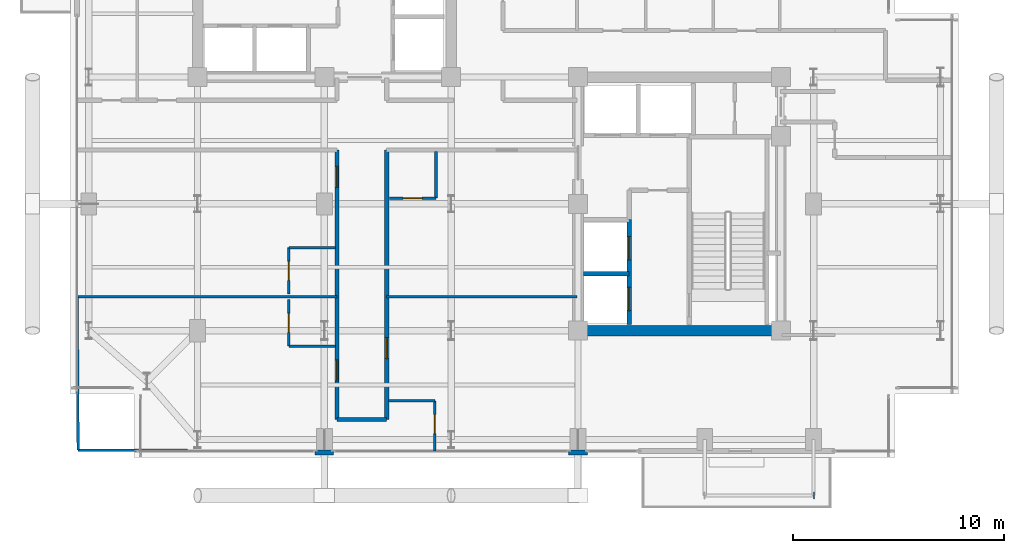
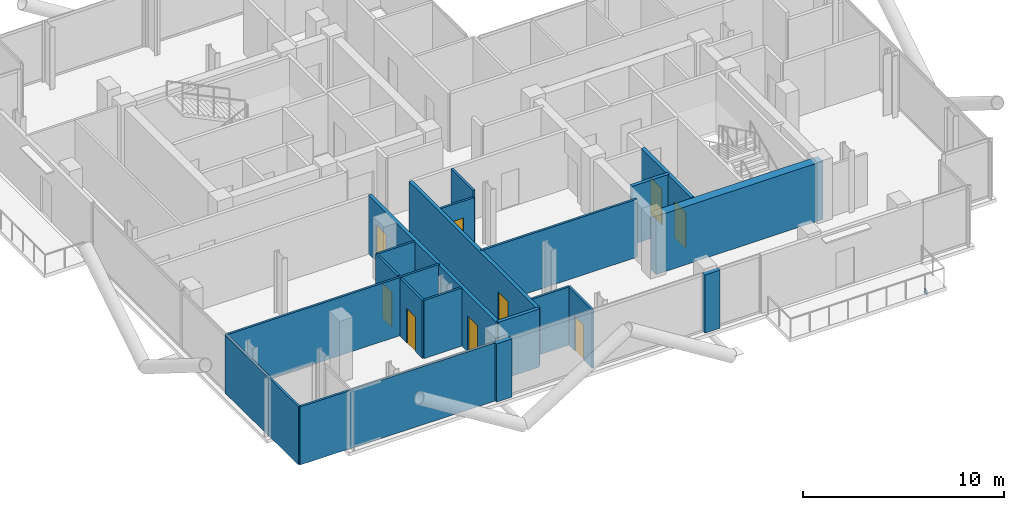
# One storey, part 19 of 25: 20 walls, 9 doors, 1 plate, 9 openings.
"""IFC4 building model written with IfcOpenShell, lengths in metres."""

from ifc_helpers import new_model, si_unit, direction, frame, frame_2d, origin, origin_2d, place, context, subcontext, project, spatial, rectangle, extrude, material, layer, layer_set, type_object, element, fill, save


model = new_model("IFC4")

# Units and contexts
model_context = context("Model", 3, precision=1e-05, world=origin(), true_north=direction((0.0, 1.0)))
body_context = subcontext(model_context, "Body", "Model", "MODEL_VIEW")
ifc_project = project(units=[si_unit("LENGTHUNIT", "METRE"), si_unit("AREAUNIT", "SQUARE_METRE"), si_unit("VOLUMEUNIT", "CUBIC_METRE"), si_unit("PLANEANGLEUNIT", "RADIAN"), si_unit("MASSUNIT", "GRAM", prefix="KILO"), si_unit("THERMODYNAMICTEMPERATUREUNIT", "KELVIN"), si_unit("POWERUNIT", "WATT")], contexts=[model_context])

# Site, building, storey
site_placement = place(None, origin())
site = spatial("IfcSite", under=ifc_project, at=site_placement, CompositionType="ELEMENT")
building_placement = place(site_placement, origin())
building = spatial("IfcBuilding", under=site, at=building_placement, Name="Svarakhadi Broadcast Tower", CompositionType="ELEMENT")
storey_placement = place(building_placement, frame((0.0, 0.0, 216.14990234375)))
storey = spatial("IfcBuildingStorey", under=building, at=storey_placement, Name="L53", CompositionType="ELEMENT", Elevation=216.14990234375)

# Plate
ifc_material_1 = material(Name="Steel S460ML (IS 2062 E450BR)", Category="steel")
ifc_layer_1 = layer(ifc_material_1, 0.028076171875)
ifc_layer_set_1 = layer_set([ifc_layer_1], Name="Steel S460ML (IS 2062 E450BR)")
plate_type = type_object("IfcPlateType", Name="Cap_Plate_CP02", PredefinedType="USERDEFINED", material=ifc_layer_set_1)
plate_placement = place(storey_placement, frame((35.1650390625, -1.800048828125, -0.5048828125), z_axis=(0.0, 0.0, 1.0), x_axis=(1.0, 0.0, 0.0)))
element("IfcPlate", 1, at=plate_placement, inside=storey, type_object=plate_type, Name="L53 Balcony Spandrel End Cap Plate 1F-B", ObjectType="FLANGE_PLATE", PredefinedType="USERDEFINED", context=body_context, shape_type="SweptSolid", body=[
    extrude(rectangle(XDim=0.0400390625, YDim=0.300048828125, at=origin_2d()), origin(), (0.0, 0.0, 1.0), 0.31005859375),
])

# Wall, opening, door
ifc_material_2 = material(Name="Double-Stud Acoustic Studio Partition STC-62", Category="gypsum")
ifc_layer_2 = layer(ifc_material_2, 0.199951171875)
ifc_layer_set_2 = layer_set([ifc_layer_2], Name="Double-Stud Acoustic Studio Partition STC-62")
wall_type_1 = type_object("IfcWallType", Name="Wall_Acoust_200", PredefinedType="PARTITIONING", material=ifc_layer_set_2)
wall_1_placement = place(storey_placement, frame((14.949951171875, 14.550048828125, 0.0), z_axis=(0.0, 0.0, 1.0), x_axis=(0.0, -1.0, 0.0)))
wall_1 = element("IfcWall", 2, at=wall_1_placement, inside=storey, type_object=wall_type_1, Name="L53 Upper Tower Concourse Wall", PredefinedType="PARTITIONING", context=body_context, shape_type="SweptSolid", body=[
    extrude(rectangle(XDim=12.75, YDim=0.199951171875, at=frame_2d((6.375, 0.0))), origin(), (0.0, 0.0, 1.0), 3.5400390625),
])
opening_1_placement = place(wall_1_placement, frame((8.875, 0.0, 0.0)))
opening_1 = element("IfcOpeningElement", 3, at=opening_1_placement, cuts=wall_1, Name="Opening D-08", PredefinedType="OPENING", context=body_context, shape_type="SweptSolid", body=[
    extrude(rectangle(XDim=1.0, YDim=2.199951171875, at=frame_2d((0.5, 1.10009765625))), frame((0.0, 0.10986328125, 0.0), z_axis=(0.0, -1.0, 0.0), x_axis=(1.0, 0.0, 0.0)), (0.0, 0.0, 1.0), 0.219970703125),
])
ifc_material_3 = material(Name="Solid-Core Teak Veneer Acoustic Timber Leaf", Category="wood")
door_type_1 = type_object("IfcDoorType", Name="Door_Suite_D08", OperationType="SINGLE_SWING_LEFT", PredefinedType="DOOR", material=ifc_material_3)
door_1_placement = place(opening_1_placement, origin())
door_1 = element("IfcDoor", 4, at=door_1_placement, inside=storey, type_object=door_type_1, Name="L53 South Harbour Junior Suite Entrance Door", OperationType="SINGLE_SWING_LEFT", OverallHeight=2.199951171875, OverallWidth=1.0, PredefinedType="DOOR", context=body_context, shape_type="SweptSolid", body=[
    extrude(rectangle(XDim=1.0, YDim=2.199951171875, at=frame_2d((0.5, 1.10009765625))), frame((0.0, 0.02490234375, 0.0), z_axis=(0.0, -1.0, 0.0), x_axis=(1.0, 0.0, 0.0)), (0.0, 0.0, 1.0), 0.050048828125),
])
fill(opening_1, door_1)

# Wall
wall_2_placement = place(storey_placement, frame((14.949951171875, 1.800048828125, 0.0), z_axis=(0.0, 0.0, 1.0), x_axis=(-1.0, 0.0, 0.0)))
element("IfcWall", 5, at=wall_2_placement, inside=storey, type_object=wall_type_1, Name="L53 Upper Tower Concourse Wall", PredefinedType="PARTITIONING", context=body_context, shape_type="SweptSolid", body=[
    extrude(rectangle(XDim=2.349853515625, YDim=0.199951171875, at=frame_2d((1.1748046875, 0.0))), origin(), (0.0, 0.0, 1.0), 3.5400390625),
])

# Wall, openings, doors
wall_3_placement = place(storey_placement, frame((12.60009765625, 1.800048828125, 0.0), z_axis=(0.0, 0.0, 1.0), x_axis=(0.0, 1.0, 0.0)))
wall_3 = element("IfcWall", 6, at=wall_3_placement, inside=storey, type_object=wall_type_1, Name="L53 Upper Tower Concourse Wall", PredefinedType="PARTITIONING", context=body_context, shape_type="SweptSolid", body=[
    extrude(rectangle(XDim=12.75, YDim=0.199951171875, at=frame_2d((6.375, 0.0))), origin(), (0.0, 0.0, 1.0), 3.5400390625),
])
opening_2_placement = place(wall_3_placement, frame((1.824951171875, 0.0, 0.0)))
opening_2 = element("IfcOpeningElement", 7, at=opening_2_placement, cuts=wall_3, Name="Opening D-08", PredefinedType="OPENING", context=body_context, shape_type="SweptSolid", body=[
    extrude(rectangle(XDim=1.0, YDim=2.199951171875, at=frame_2d((0.5, 1.10009765625))), frame((0.0, 0.10986328125, 0.0), z_axis=(0.0, -1.0, 0.0), x_axis=(1.0, 0.0, 0.0)), (0.0, 0.0, 1.0), 0.219970703125),
])
opening_3_placement = place(wall_3_placement, frame((10.97998046875, 0.0, 0.0)))
opening_3 = element("IfcOpeningElement", 8, at=opening_3_placement, cuts=wall_3, Name="Opening D-09", PredefinedType="OPENING", context=body_context, shape_type="SweptSolid", body=[
    extrude(rectangle(XDim=1.0, YDim=2.199951171875, at=frame_2d((0.5, 1.10009765625))), frame((0.0, 0.10986328125, 0.0), z_axis=(0.0, -1.0, 0.0), x_axis=(1.0, 0.0, 0.0)), (0.0, 0.0, 1.0), 0.219970703125),
])
door_2_placement = place(opening_2_placement, origin())
door_2 = element("IfcDoor", 9, at=door_2_placement, inside=storey, type_object=door_type_1, Name="L53 Presidential Sea-View Corner Suite Entrance Door", OperationType="SINGLE_SWING_LEFT", OverallHeight=2.199951171875, OverallWidth=1.0, PredefinedType="DOOR", context=body_context, shape_type="SweptSolid", body=[
    extrude(rectangle(XDim=1.0, YDim=2.199951171875, at=frame_2d((0.5, 1.10009765625))), frame((0.0, 0.02490234375, 0.0), z_axis=(0.0, -1.0, 0.0), x_axis=(1.0, 0.0, 0.0)), (0.0, 0.0, 1.0), 0.050048828125),
])
fill(opening_2, door_2)
door_type_2 = type_object("IfcDoorType", Name="Door_Suite_D09", OperationType="SINGLE_SWING_RIGHT", PredefinedType="DOOR", material=ifc_material_3)
door_3_placement = place(opening_3_placement, origin())
door_3 = element("IfcDoor", 10, at=door_3_placement, inside=storey, type_object=door_type_2, Name="L53 Arabian Sea Executive Guest Suite Entrance Door", OperationType="SINGLE_SWING_RIGHT", OverallHeight=2.199951171875, OverallWidth=1.0, PredefinedType="DOOR", context=body_context, shape_type="SweptSolid", body=[
    extrude(rectangle(XDim=1.0, YDim=2.199951171875, at=frame_2d((0.5, 1.10009765625))), frame((0.0, 0.02490234375, 0.0), z_axis=(0.0, -1.0, 0.0), x_axis=(1.0, 0.0, 0.0)), (0.0, 0.0, 1.0), 0.050048828125),
])
fill(opening_3, door_3)

# Walls
ifc_material_4 = material(Name="Concrete C40/50 (IS 456 M50)", Category="concrete")
ifc_layer_3 = layer(ifc_material_4, 0.239990234375)
ifc_layer_set_3 = layer_set([ifc_layer_3], Name="Concrete C40/50 (IS 456 M50)")
wall_type_2 = type_object("IfcWallType", Name="Wall_Ext_240", PredefinedType="SOLIDWALL", material=ifc_layer_set_3)
for number, where, z_axis, x_axis, name in (
    (11, (24.43994140625, 0.239990234375, 0.0), (0.0, 0.0, 1.0), (-1.0, 0.0, 0.0), "L53 Perimeter Bronze Spandrel Closure Wall 03"),
    (12, (12.43994140625, 0.239990234375, 0.0), (0.0, 0.0, 1.0), (-1.0, 0.0, 0.0), "L53 Perimeter Bronze Spandrel Closure Wall 04"),
):
    element("IfcWall", number, at=place(storey_placement, frame(where, z_axis=z_axis, x_axis=x_axis)), inside=storey, type_object=wall_type_2, Name=name, PredefinedType="SOLIDWALL", context=body_context, shape_type="SweptSolid", body=[
        extrude(rectangle(XDim=0.8798828125, YDim=0.239990234375, at=frame_2d((0.43994140625, 0.0))), origin(), (0.0, 0.0, 1.0), 3.5400390625),
    ])
ifc_material_5 = material(Name="Fire-Rated Moisture-Resistant Gypsum Board Partition", Category="gypsum")
ifc_layer_4 = layer(ifc_material_5, 0.125)
ifc_layer_set_4 = layer_set([ifc_layer_4], Name="Fire-Rated Moisture-Resistant Gypsum Board Partition")
wall_type_3 = type_object("IfcWallType", Name="Wall_Part_125", PredefinedType="PARTITIONING", material=ifc_layer_set_4)
wall_4_placement = place(storey_placement, frame((0.35009765625, 0.35009765625, 0.0), z_axis=(0.0, 0.0, 1.0), x_axis=(0.999991617913, -0.004094398993, 0.0)))
element("IfcWall", 13, at=wall_4_placement, inside=storey, type_object=wall_type_3, Name="L53 Presidential Sea-View Corner Suite Wall", PredefinedType="PARTITIONING", context=body_context, shape_type="SweptSolid", body=[
    extrude(rectangle(XDim=11.2099609375, YDim=0.125, at=frame_2d((5.60498046875, 0.0))), origin(), (0.0, 0.0, 1.0), 3.5400390625),
])
wall_5_placement = place(storey_placement, frame((0.300048828125, 7.60009765625, 0.0), z_axis=(0.0, 0.0, 1.0), x_axis=(1.0, 0.0, 0.0)))
element("IfcWall", 14, at=wall_5_placement, inside=storey, type_object=wall_type_3, Name="L53 Presidential Sea-View Corner Suite Wall", PredefinedType="PARTITIONING", context=body_context, shape_type="SweptSolid", body=[
    extrude(rectangle(XDim=12.300048828125, YDim=0.125, at=frame_2d((6.14990234375, 0.0))), origin(), (0.0, 0.0, 1.0), 3.5400390625),
])
wall_6_placement = place(storey_placement, frame((0.35009765625, 0.35009765625, 0.0), z_axis=(0.0, 0.0, 1.0), x_axis=(-0.006903122154, 0.999976173168, 0.0)))
element("IfcWall", 15, at=wall_6_placement, inside=storey, type_object=wall_type_3, Name="L53 Presidential Sea-View Corner Suite Wall", PredefinedType="PARTITIONING", context=body_context, shape_type="SweptSolid", body=[
    extrude(rectangle(XDim=7.250244140625, YDim=0.125, at=frame_2d((3.625, 0.0))), origin(), (0.0, 0.0, 1.0), 3.5400390625),
])
wall_7_placement = place(storey_placement, frame((10.320068359375, 5.27001953125, 0.0), z_axis=(0.0, 0.0, 1.0), x_axis=(1.0, 0.0, 0.0)))
element("IfcWall", 16, at=wall_7_placement, inside=storey, type_object=wall_type_3, Name="L53 Presidential Sea-View Corner Suite En-Suite Wall", PredefinedType="PARTITIONING", context=body_context, shape_type="SweptSolid", body=[
    extrude(rectangle(XDim=2.199951171875, YDim=0.125, at=frame_2d((1.10009765625, 0.0))), origin(), (0.0, 0.0, 1.0), 3.5400390625),
])

# Wall, opening, door
wall_8_placement = place(storey_placement, frame((10.320068359375, 5.27001953125, 0.0), z_axis=(0.0, 0.0, 1.0), x_axis=(0.0, 1.0, 0.0)))
wall_8 = element("IfcWall", 17, at=wall_8_placement, inside=storey, type_object=wall_type_3, Name="L53 Presidential Sea-View Corner Suite En-Suite Wall", PredefinedType="PARTITIONING", context=body_context, shape_type="SweptSolid", body=[
    extrude(rectangle(XDim=2.199951171875, YDim=0.125, at=frame_2d((1.10009765625, 0.0))), origin(), (0.0, 0.0, 1.0), 3.5400390625),
])
opening_4_placement = place(wall_8_placement, frame((0.64990234375, 0.0, 0.0)))
opening_4 = element("IfcOpeningElement", 18, at=opening_4_placement, cuts=wall_8, Name="Opening D-13", PredefinedType="OPENING", context=body_context, shape_type="SweptSolid", body=[
    extrude(rectangle(XDim=0.89990234375, YDim=2.10009765625, at=frame_2d((0.449951171875, 1.050048828125))), frame((0.0, 0.072509765625, 0.0), z_axis=(0.0, -1.0, 0.0), x_axis=(1.0, 0.0, 0.0)), (0.0, 0.0, 1.0), 0.14501953125),
])
door_type_3 = type_object("IfcDoorType", Name="Door_Closet_D13", OperationType="SINGLE_SWING_RIGHT", PredefinedType="DOOR", material=ifc_material_3)
door_4_placement = place(opening_4_placement, origin())
door_4 = element("IfcDoor", 19, at=door_4_placement, inside=storey, type_object=door_type_3, Name="L53 Presidential Sea-View Corner Suite En-Suite Door", OperationType="SINGLE_SWING_RIGHT", OverallHeight=2.10009765625, OverallWidth=0.89990234375, PredefinedType="DOOR", context=body_context, shape_type="SweptSolid", body=[
    extrude(rectangle(XDim=0.89990234375, YDim=2.10009765625, at=frame_2d((0.449951171875, 1.050048828125))), frame((0.0, 0.02490234375, 0.0), z_axis=(0.0, -1.0, 0.0), x_axis=(1.0, 0.0, 0.0)), (0.0, 0.0, 1.0), 0.050048828125),
])
fill(opening_4, door_4)

# Wall
wall_9_placement = place(storey_placement, frame((10.320068359375, 9.929931640625, 0.0), z_axis=(0.0, 0.0, 1.0), x_axis=(1.0, 0.0, 0.0)))
element("IfcWall", 20, at=wall_9_placement, inside=storey, type_object=wall_type_3, Name="L53 Arabian Sea Executive Guest Suite En-Suite Wall", PredefinedType="PARTITIONING", context=body_context, shape_type="SweptSolid", body=[
    extrude(rectangle(XDim=2.199951171875, YDim=0.125, at=frame_2d((1.10009765625, 0.0))), origin(), (0.0, 0.0, 1.0), 3.5400390625),
])

# Wall, opening, door
wall_10_placement = place(storey_placement, frame((10.320068359375, 7.72998046875, 0.0), z_axis=(0.0, 0.0, 1.0), x_axis=(0.0, 1.0, 0.0)))
wall_10 = element("IfcWall", 21, at=wall_10_placement, inside=storey, type_object=wall_type_3, Name="L53 Arabian Sea Executive Guest Suite En-Suite Wall", PredefinedType="PARTITIONING", context=body_context, shape_type="SweptSolid", body=[
    extrude(rectangle(XDim=2.199951171875, YDim=0.125, at=frame_2d((1.10009765625, 0.0))), origin(), (0.0, 0.0, 1.0), 3.5400390625),
])
opening_5_placement = place(wall_10_placement, frame((0.64990234375, 0.0, 0.0)))
opening_5 = element("IfcOpeningElement", 22, at=opening_5_placement, cuts=wall_10, Name="Opening D-12", PredefinedType="OPENING", context=body_context, shape_type="SweptSolid", body=[
    extrude(rectangle(XDim=0.89990234375, YDim=2.10009765625, at=frame_2d((0.449951171875, 1.050048828125))), frame((0.0, 0.072509765625, 0.0), z_axis=(0.0, -1.0, 0.0), x_axis=(1.0, 0.0, 0.0)), (0.0, 0.0, 1.0), 0.14501953125),
])
door_type_4 = type_object("IfcDoorType", Name="Door_WC_D01", OperationType="SINGLE_SWING_LEFT", PredefinedType="DOOR", material=ifc_material_3)
door_5_placement = place(opening_5_placement, origin())
door_5 = element("IfcDoor", 23, at=door_5_placement, inside=storey, type_object=door_type_4, Name="L53 Arabian Sea Executive Guest Suite En-Suite Door", OperationType="SINGLE_SWING_LEFT", OverallHeight=2.10009765625, OverallWidth=0.89990234375, PredefinedType="DOOR", context=body_context, shape_type="SweptSolid", body=[
    extrude(rectangle(XDim=0.89990234375, YDim=2.10009765625, at=frame_2d((0.449951171875, 1.050048828125))), frame((0.0, 0.02490234375, 0.0), z_axis=(0.0, -1.0, 0.0), x_axis=(1.0, 0.0, 0.0)), (0.0, 0.0, 1.0), 0.050048828125),
])
fill(opening_5, door_5)

# Walls
wall_11_placement = place(storey_placement, frame((14.949951171875, 7.60009765625, 0.0), z_axis=(0.0, 0.0, 1.0), x_axis=(1.0, 0.0, 0.0)))
element("IfcWall", 24, at=wall_11_placement, inside=storey, type_object=wall_type_3, Name="L53 South Harbour Junior Suite Wall", PredefinedType="PARTITIONING", context=body_context, shape_type="SweptSolid", body=[
    extrude(rectangle(XDim=9.0, YDim=0.125, at=frame_2d((4.5, 0.0))), origin(), (0.0, 0.0, 1.0), 3.5400390625),
])
wall_12_placement = place(storey_placement, frame((15.030029296875, 2.679931640625, 0.0), z_axis=(0.0, 0.0, 1.0), x_axis=(1.0, 0.0, 0.0)))
element("IfcWall", 25, at=wall_12_placement, inside=storey, type_object=wall_type_3, Name="L53 South Harbour Junior Suite En-Suite Wall", PredefinedType="PARTITIONING", context=body_context, shape_type="SweptSolid", body=[
    extrude(rectangle(XDim=2.199951171875, YDim=0.125, at=frame_2d((1.10009765625, 0.0))), origin(), (0.0, 0.0, 1.0), 3.5400390625),
])

# Wall, opening, door
wall_13_placement = place(storey_placement, frame((17.22998046875, 0.300048828125, 0.0), z_axis=(0.0, 0.0, 1.0), x_axis=(0.0, 1.0, 0.0)))
wall_13 = element("IfcWall", 26, at=wall_13_placement, inside=storey, type_object=wall_type_3, Name="L53 South Harbour Junior Suite En-Suite Wall", PredefinedType="PARTITIONING", context=body_context, shape_type="SweptSolid", body=[
    extrude(rectangle(XDim=2.3798828125, YDim=0.125, at=frame_2d((1.18994140625, 0.0))), origin(), (0.0, 0.0, 1.0), 3.5400390625),
])
opening_6_placement = place(wall_13_placement, frame((0.830078125, 0.0, 0.0)))
opening_6 = element("IfcOpeningElement", 27, at=opening_6_placement, cuts=wall_13, Name="Opening D-13", PredefinedType="OPENING", context=body_context, shape_type="SweptSolid", body=[
    extrude(rectangle(XDim=0.89990234375, YDim=2.10009765625, at=frame_2d((0.449951171875, 1.050048828125))), frame((0.0, 0.072509765625, 0.0), z_axis=(0.0, -1.0, 0.0), x_axis=(1.0, 0.0, 0.0)), (0.0, 0.0, 1.0), 0.14501953125),
])
door_6_placement = place(opening_6_placement, origin())
door_6 = element("IfcDoor", 28, at=door_6_placement, inside=storey, type_object=door_type_3, Name="L53 South Harbour Junior Suite En-Suite Door", OperationType="SINGLE_SWING_RIGHT", OverallHeight=2.10009765625, OverallWidth=0.89990234375, PredefinedType="DOOR", context=body_context, shape_type="SweptSolid", body=[
    extrude(rectangle(XDim=0.89990234375, YDim=2.10009765625, at=frame_2d((0.449951171875, 1.050048828125))), frame((0.0, 0.02490234375, 0.0), z_axis=(0.0, -1.0, 0.0), x_axis=(1.0, 0.0, 0.0)), (0.0, 0.0, 1.0), 0.050048828125),
])
fill(opening_6, door_6)

wall_14_placement = place(storey_placement, frame((15.080078125, 12.27001953125, 0.0), z_axis=(0.0, 0.0, 1.0), x_axis=(1.0, 0.0, 0.0)))
wall_14 = element("IfcWall", 29, at=wall_14_placement, inside=storey, type_object=wall_type_3, Name="L53 Deluxe Harbour Guest Room En-Suite Wall", PredefinedType="PARTITIONING", context=body_context, shape_type="SweptSolid", body=[
    extrude(rectangle(XDim=2.199951171875, YDim=0.125, at=frame_2d((1.10009765625, 0.0))), origin(), (0.0, 0.0, 1.0), 3.132080078125),
])
opening_7_placement = place(wall_14_placement, frame((0.64990234375, 0.0, 0.0)))
opening_7 = element("IfcOpeningElement", 30, at=opening_7_placement, cuts=wall_14, Name="Opening D-12", PredefinedType="OPENING", context=body_context, shape_type="SweptSolid", body=[
    extrude(rectangle(XDim=0.89990234375, YDim=2.10009765625, at=frame_2d((0.449951171875, 1.050048828125))), frame((0.0, 0.072509765625, 0.0), z_axis=(0.0, -1.0, 0.0), x_axis=(1.0, 0.0, 0.0)), (0.0, 0.0, 1.0), 0.14501953125),
])
door_7_placement = place(opening_7_placement, origin())
door_7 = element("IfcDoor", 31, at=door_7_placement, inside=storey, type_object=door_type_4, Name="L53 Deluxe Harbour Guest Room En-Suite Door", OperationType="SINGLE_SWING_LEFT", OverallHeight=2.10009765625, OverallWidth=0.89990234375, PredefinedType="DOOR", context=body_context, shape_type="SweptSolid", body=[
    extrude(rectangle(XDim=0.89990234375, YDim=2.10009765625, at=frame_2d((0.449951171875, 1.050048828125))), frame((0.0, 0.02490234375, 0.0), z_axis=(0.0, -1.0, 0.0), x_axis=(1.0, 0.0, 0.0)), (0.0, 0.0, 1.0), 0.050048828125),
])
fill(opening_7, door_7)

# Wall
wall_15_placement = place(storey_placement, frame((17.280029296875, 12.27001953125, 0.0), z_axis=(0.0, 0.0, 1.0), x_axis=(0.0, 1.0, 0.0)))
element("IfcWall", 32, at=wall_15_placement, inside=storey, type_object=wall_type_3, Name="L53 Deluxe Harbour Guest Room En-Suite Wall", PredefinedType="PARTITIONING", context=body_context, shape_type="SweptSolid", body=[
    extrude(rectangle(XDim=2.199951171875, YDim=0.125, at=frame_2d((1.10009765625, 0.0))), origin(), (0.0, 0.0, 1.0), 3.5400390625),
])

# Wall, openings, doors
ifc_material_6 = material(Name="Concrete C50/60 (IS 456 M60)", Category="concrete")
ifc_layer_5 = layer(ifc_material_6, 0.199951171875)
ifc_layer_set_5 = layer_set([ifc_layer_5], Name="Concrete C50/60 (IS 456 M60)")
wall_type_4 = type_object("IfcWallType", Name="Wall_Shear_200", PredefinedType="SHEAR", material=ifc_layer_set_5)
wall_16_placement = place(storey_placement, frame((26.419921875, 6.300048828125, 0.0), z_axis=(0.0, 0.0, 1.0), x_axis=(0.0, 1.0, 0.0)))
wall_16 = element("IfcWall", 33, at=wall_16_placement, inside=storey, type_object=wall_type_4, Name="L53 Firefighting Lift LF-03/04 Shaft Wall", PredefinedType="SHEAR", context=body_context, shape_type="SweptSolid", body=[
    extrude(rectangle(XDim=4.949951171875, YDim=0.199951171875, at=frame_2d((2.47509765625, 0.0))), origin(), (0.0, 0.0, 1.0), 3.5400390625),
])
opening_8_placement = place(wall_16_placement, frame((0.64990234375, 0.0, 0.0)))
opening_8 = element("IfcOpeningElement", 34, at=opening_8_placement, cuts=wall_16, Name="Opening LD-01", PredefinedType="OPENING", context=body_context, shape_type="SweptSolid", body=[
    extrude(rectangle(XDim=1.10009765625, YDim=2.199951171875, at=frame_2d((0.550048828125, 1.10009765625))), frame((0.0, 0.10986328125, 0.0), z_axis=(0.0, -1.0, 0.0), x_axis=(1.0, 0.0, 0.0)), (0.0, 0.0, 1.0), 0.219970703125),
])
opening_9_placement = place(wall_16_placement, frame((3.050048828125, 0.0, 0.0)))
opening_9 = element("IfcOpeningElement", 35, at=opening_9_placement, cuts=wall_16, Name="Opening LD-01", PredefinedType="OPENING", context=body_context, shape_type="SweptSolid", body=[
    extrude(rectangle(XDim=1.10009765625, YDim=2.199951171875, at=frame_2d((0.550048828125, 1.10009765625))), frame((0.0, 0.10986328125, 0.0), z_axis=(0.0, -1.0, 0.0), x_axis=(1.0, 0.0, 0.0)), (0.0, 0.0, 1.0), 0.219970703125),
])
ifc_material_7 = material(Name="Galvanised Powder-Coated Fire-Rated Steel Leaf", Category="steel")
door_type_5 = type_object("IfcDoorType", Name="Door_Lift_LD01", OperationType="SLIDING_TO_LEFT", PredefinedType="DOOR", material=ifc_material_7)
door_8_placement = place(opening_8_placement, origin())
door_8 = element("IfcDoor", 36, at=door_8_placement, inside=storey, type_object=door_type_5, Name="L53 Firefighting Lift LF-03 Landing Door", OperationType="SLIDING_TO_LEFT", OverallHeight=2.199951171875, OverallWidth=1.10009765625, PredefinedType="DOOR", context=body_context, shape_type="SweptSolid", body=[
    extrude(rectangle(XDim=1.10009765625, YDim=2.199951171875, at=frame_2d((0.550048828125, 1.10009765625))), frame((0.0, 0.02490234375, 0.0), z_axis=(0.0, -1.0, 0.0), x_axis=(1.0, 0.0, 0.0)), (0.0, 0.0, 1.0), 0.050048828125),
])
fill(opening_8, door_8)
door_9_placement = place(opening_9_placement, origin())
door_9 = element("IfcDoor", 37, at=door_9_placement, inside=storey, type_object=door_type_5, Name="L53 Firefighting Lift LF-04 Landing Door", OperationType="SLIDING_TO_LEFT", OverallHeight=2.199951171875, OverallWidth=1.10009765625, PredefinedType="DOOR", context=body_context, shape_type="SweptSolid", body=[
    extrude(rectangle(XDim=1.10009765625, YDim=2.199951171875, at=frame_2d((0.550048828125, 1.10009765625))), frame((0.0, 0.02490234375, 0.0), z_axis=(0.0, -1.0, 0.0), x_axis=(1.0, 0.0, 0.0)), (0.0, 0.0, 1.0), 0.050048828125),
])
fill(opening_9, door_9)

# Walls
wall_17_placement = place(storey_placement, frame((24.25, 8.699951171875, 0.0), z_axis=(0.0, 0.0, 1.0), x_axis=(1.0, 0.0, 0.0)))
element("IfcWall", 38, at=wall_17_placement, inside=storey, type_object=wall_type_4, Name="L53 Firefighting Lift LF-03/04 Divider Wall", PredefinedType="SHEAR", context=body_context, shape_type="SweptSolid", body=[
    extrude(rectangle(XDim=2.169921875, YDim=0.199951171875, at=frame_2d((1.0849609375, 0.0))), origin(), (0.0, 0.0, 1.0), 3.5400390625),
])
ifc_layer_6 = layer(ifc_material_6, 0.5)
ifc_layer_set_6 = layer_set([ifc_layer_6], Name="Concrete C50/60 (IS 456 M60)")
wall_type_5 = type_object("IfcWallType", Name="Wall_Shear_500", PredefinedType="SHEAR", material=ifc_layer_set_6)
wall_18_placement = place(storey_placement, frame((24.0, 6.0, 0.0), z_axis=(0.0, 0.0, 1.0), x_axis=(1.0, 0.0, 0.0)))
element("IfcWall", 39, at=wall_18_placement, inside=storey, type_object=wall_type_5, Name="L53 East Core South Shear Wall", PredefinedType="SHEAR", context=body_context, shape_type="SweptSolid", body=[
    extrude(rectangle(XDim=9.60009765625, YDim=0.5, at=frame_2d((4.800048828125, 0.0))), origin(), (0.0, 0.0, 1.0), 3.5400390625),
])

save(model, "model.ifc")
